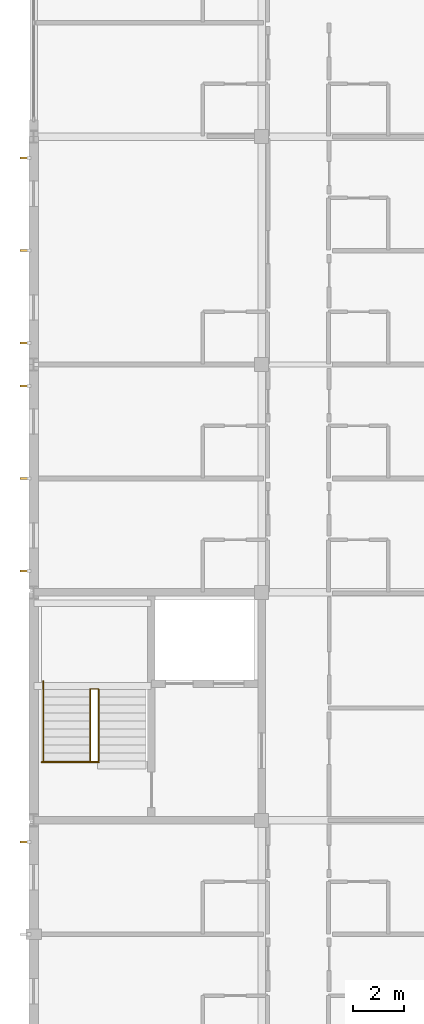
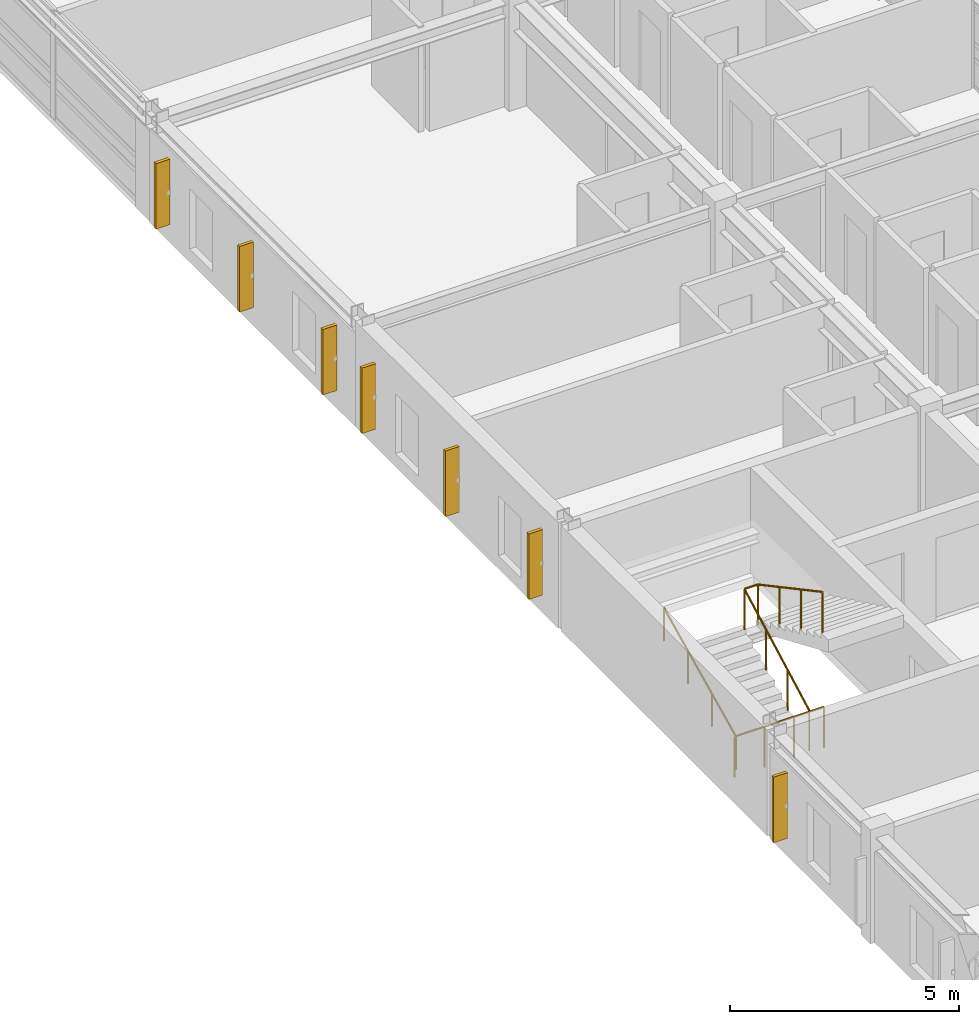
# One storey, part 29 of 30: 7 shading devices, 3 railings.
"""IFC4 building model written with IfcOpenShell, lengths in metres."""

import ifcopenshell
import ifcopenshell.guid

model = None  # the IFC model being written
_history = None  # IfcOwnerHistory: only IFC2X3 demands one
_inside = {}  # id of a spatial element -> (the spatial element, [elements in it])
_under = {}  # id of a project, library or spatial element -> (it, [spatial elements below it])
_declared = {}  # id of a project -> (the project, [libraries it declares])
_typed = {}  # id of a type object -> (the type object, [elements of that type])
_made_of = {}  # id of a material, layer set ... -> (it, [elements and type objects made of it])


def new_model(schema):
    """Start an empty IFC model of exactly this schema.

    Asked for "IFC4X3", IfcOpenShell would pick the latest addendum, in which some entities
    have other attributes; the version numbers below select the first issue.
    IFC2X3 requires an IfcOwnerHistory on every rooted entity: one is made here for all.
    """
    global model, _history
    if schema == "IFC4X3":
        model = ifcopenshell.file(schema_version=(4, 3, 0, 0))
    else:
        model = ifcopenshell.file(schema=schema)
    _inside.clear()
    _under.clear()
    _declared.clear()
    _typed.clear()
    _made_of.clear()
    _history = None
    if model.schema == "IFC2X3":
        org = make("IfcOrganization", Name="unknown")
        user = make(
            "IfcPersonAndOrganization",
            ThePerson=make("IfcPerson", FamilyName="unknown"),
            TheOrganization=org,
        )
        app = make(
            "IfcApplication",
            ApplicationDeveloper=org,
            Version="unknown",
            ApplicationFullName="unknown",
            ApplicationIdentifier="unknown",
        )
        _history = make(
            "IfcOwnerHistory",
            OwningUser=user,
            OwningApplication=app,
            ChangeAction="ADDED",
            CreationDate=0,
        )
    return model


def make(cls, **values):
    """One entity of the class cls with the attributes given. An attribute that is None is left unset."""
    return model.create_entity(
        cls, **{name: value for name, value in values.items() if value is not None}
    )


def rooted(cls, **values):
    """An entity with a GlobalId (a new one), such as an element, a storey or a relation."""
    return make(cls, GlobalId=ifcopenshell.guid.new(), OwnerHistory=_history, **values)


def si_unit(unit_type, name, prefix=None):
    """IfcSIUnit, for example si_unit("LENGTHUNIT", "METRE", prefix="MILLI")."""
    return make("IfcSIUnit", UnitType=unit_type, Prefix=prefix, Name=name)


def assignment(units):
    """IfcUnitAssignment: the units of a project."""
    return None if units is None else make("IfcUnitAssignment", Units=units)


def point(xyz):
    """IfcCartesianPoint."""
    return None if xyz is None else make("IfcCartesianPoint", Coordinates=xyz)


def direction(xyz):
    """IfcDirection."""
    return None if xyz is None else make("IfcDirection", DirectionRatios=xyz)


def frame(location, z_axis=None, x_axis=None):
    """IfcAxis2Placement3D, a coordinate frame: its origin and axes. An axis left out is left unset."""
    return make(
        "IfcAxis2Placement3D",
        Location=point(location),
        Axis=direction(z_axis),
        RefDirection=direction(x_axis),
    )


def frame_2d(location, x_axis=None):
    """IfcAxis2Placement2D, a coordinate frame in the plane: its origin and x axis."""
    return make(
        "IfcAxis2Placement2D", Location=point(location), RefDirection=direction(x_axis)
    )


def origin():
    """The frame at (0, 0, 0) with its axes left unset."""
    return frame((0.0, 0.0, 0.0))


def origin_2d():
    """The frame at (0, 0) in the plane with its x axis left unset."""
    return frame_2d((0.0, 0.0))


def place(relative_to, where):
    """IfcLocalPlacement: puts the frame where relative to a parent placement (None: the world)."""
    return make(
        "IfcLocalPlacement", PlacementRelTo=relative_to, RelativePlacement=where
    )


def context(
    kind, dimensions, precision=None, world=None, true_north=None, identifier=None
):
    """IfcGeometricRepresentationContext, for example the 3D "Model" context."""
    return make(
        "IfcGeometricRepresentationContext",
        ContextIdentifier=identifier,
        ContextType=kind,
        CoordinateSpaceDimension=dimensions,
        Precision=precision,
        WorldCoordinateSystem=world,
        TrueNorth=true_north,
    )


def subcontext(parent, identifier, kind, view, scale=None):
    """IfcGeometricRepresentationSubContext, for example "Body" below "Model"."""
    return make(
        "IfcGeometricRepresentationSubContext",
        ContextIdentifier=identifier,
        ContextType=kind,
        ParentContext=parent,
        TargetScale=scale,
        TargetView=view,
    )


def project(units=None, contexts=None):
    """IfcProject with its units and contexts."""
    return rooted(
        "IfcProject",
        Name="project",
        RepresentationContexts=contexts,
        UnitsInContext=assignment(units),
    )


def spatial(cls, under=None, at=None, **own):
    """A site, building, storey or space (cls), placed at a placement, below another one or the project."""
    s = rooted(cls, ObjectPlacement=at, **own)
    if under is not None:
        _under.setdefault(under.id(), (under, []))[1].append(s)
    return s


def profile(cls, at=None, kind="AREA", **sizes):
    """A parametric profile (cls). Its sizes go by their IFC names, for example OverallWidth=200.0."""
    return make(cls, ProfileType=kind, Position=at, **sizes)


def rectangle(**sizes):
    """IfcRectangleProfileDef."""
    return profile("IfcRectangleProfileDef", **sizes)


def circle(**sizes):
    """IfcCircleProfileDef."""
    return profile("IfcCircleProfileDef", **sizes)


def extrude(swept, where, along, depth):
    """IfcExtrudedAreaSolid: the profile swept, set in the frame where, extruded along a direction by depth."""
    return make(
        "IfcExtrudedAreaSolid",
        SweptArea=swept,
        Position=where,
        ExtrudedDirection=direction(along),
        Depth=depth,
    )


def shape(context_of_items, identifier, shape_type, items):
    """IfcShapeRepresentation: the items that make up one representation, for example the "Body"."""
    return make(
        "IfcShapeRepresentation",
        ContextOfItems=context_of_items,
        RepresentationIdentifier=identifier,
        RepresentationType=shape_type,
        Items=items,
    )


def material(Name=None, Category=None):
    """IfcMaterial."""
    return make("IfcMaterial", Name=Name, Category=Category)


def made_of(thing, what):
    """Note that an element or type object is made of a material, layer set ...; save() writes the relation."""
    if what is not None:
        _made_of.setdefault(what.id(), (what, []))[1].append(thing)
    return thing


def type_object(cls, material=None, **own):
    """A type object (cls), such as IfcWallType, which elements share."""
    return made_of(rooted(cls, **own), material)


def element(
    cls,
    number,
    at=None,
    inside=None,
    cuts=None,
    type_object=None,
    material=None,
    context=None,
    identifier="Body",
    shape_type=None,
    held_by="IfcProductDefinitionShape",
    body=None,
    shapes=None,
    **own,
):
    """One element of the class cls, such as IfcWall. Its Tag is "e" and its number.

    at: its placement. inside: the storey or other place that contains it. cuts: it is an
    opening in that element (IfcRelVoidsElement). A single representation is given by context,
    identifier, shape_type and body (its items); several are given by shapes. held_by: the class
    of the entity that holds the representations. save() writes the other relations.
    """
    e = rooted(cls, Tag="e%d" % number, ObjectPlacement=at, **own)
    if body is not None:
        shapes = [shape(context, identifier, shape_type, body)]
    if shapes is not None:
        e.Representation = make(held_by, Representations=shapes)
    if inside is not None:
        _inside.setdefault(inside.id(), (inside, []))[1].append(e)
    if cuts is not None:
        rooted(
            "IfcRelVoidsElement", RelatingBuildingElement=cuts, RelatedOpeningElement=e
        )
    if type_object is not None:
        _typed.setdefault(type_object.id(), (type_object, []))[1].append(e)
    return made_of(e, material)


def aggregate(whole, parts):
    """IfcRelAggregates: a whole, such as a stair, and the parts it consists of."""
    return rooted("IfcRelAggregates", RelatingObject=whole, RelatedObjects=parts)


def save(model, path):
    """Write the relations noted so far, then the file.

    IfcRelAggregates (storeys below a building ...), IfcRelContainedInSpatialStructure (elements
    in a storey), IfcRelDefinesByType, IfcRelAssociatesMaterial and IfcRelDeclares: one each for
    every whole, place, type object, material and project.
    """
    for whole, parts in _under.values():
        aggregate(whole, parts)
    for where, things in _inside.values():
        rooted(
            "IfcRelContainedInSpatialStructure",
            RelatedElements=things,
            RelatingStructure=where,
        )
    for kind, things in _typed.values():
        rooted("IfcRelDefinesByType", RelatedObjects=things, RelatingType=kind)
    for what, things in _made_of.values():
        rooted("IfcRelAssociatesMaterial", RelatedObjects=things, RelatingMaterial=what)
    for by, libraries in _declared.values():
        rooted("IfcRelDeclares", RelatingContext=by, RelatedDefinitions=libraries)
    model.write(path)


model = new_model("IFC4")

# Units and contexts
model_context = context("Model", 3, precision=1e-05, world=origin(), true_north=direction((0.0, 1.0)))
body_context = subcontext(model_context, "Body", "Model", "MODEL_VIEW")
ifc_project = project(units=[si_unit("LENGTHUNIT", "METRE"), si_unit("AREAUNIT", "SQUARE_METRE"), si_unit("VOLUMEUNIT", "CUBIC_METRE"), si_unit("PLANEANGLEUNIT", "RADIAN"), si_unit("MASSUNIT", "GRAM", prefix="KILO")], contexts=[model_context])

# Site, building, storey
site_placement = place(None, origin())
site = spatial("IfcSite", under=ifc_project, at=site_placement, CompositionType="ELEMENT")
building_placement = place(site_placement, origin())
building = spatial("IfcBuilding", under=site, at=building_placement, Name="Palais des Congres Ocreval", CompositionType="ELEMENT")
storey_placement = place(building_placement, frame((0.0, 0.0, 14.56005859375)))
storey = spatial("IfcBuildingStorey", under=building, at=storey_placement, Name="L04", CompositionType="ELEMENT", Elevation=14.56005859375)

# Railings
ifc_material_1 = material(Name="Anodized bronze aluminium", Category="aluminium")
railing_type_1 = type_object("IfcRailingType", Name="Bronze Stair and Ramp Handrail 900", PredefinedType="HANDRAIL", material=ifc_material_1)
railing_1_placement = place(storey_placement, frame((0.3798828125, 38.35009765625, 0.15185546875)))
element("IfcRailing", 1, at=railing_1_placement, inside=storey, type_object=railing_type_1, Name="Stair Wall Handrail ST03 L04", PredefinedType="HANDRAIL", context=body_context, shape_type="SweptSolid", body=[
    extrude(circle(Radius=0.02392578125, at=origin_2d()), frame((0.0, 0.0, 0.8759765625), z_axis=(0.0, 0.900621362251, 0.434604604044), x_axis=(-1.0, 0.0, 0.0)), (0.0, 0.0, 1.0), 3.49755859375),
    extrude(circle(Radius=0.02099609375, at=origin_2d()), origin(), (0.0, 0.0, 1.0), 0.851806640625),
    extrude(circle(Radius=0.02099609375, at=origin_2d()), frame((0.0, 1.050048828125, 0.506591796875)), (0.0, 0.0, 1.0), 0.851806640625),
    extrude(circle(Radius=0.02099609375, at=origin_2d()), frame((0.0, 2.099853515625, 1.013427734375)), (0.0, 0.0, 1.0), 0.851806640625),
    extrude(circle(Radius=0.02099609375, at=origin_2d()), frame((0.0, 3.14990234375, 1.52001953125)), (0.0, 0.0, 1.0), 0.851806640625),
])
ifc_material_2 = material(Name="Steel S355", Category="steel")
railing_type_2 = type_object("IfcRailingType", Name="Stairwell Steel Guardrail 1100", PredefinedType="GUARDRAIL", material=ifc_material_2)
railing_2_placement = place(storey_placement, frame((0.320068359375, 38.300048828125, 0.0)))
element("IfcRailing", 2, at=railing_2_placement, inside=storey, type_object=railing_type_2, Name="Stairwell Landing Edge Guard ST03 L04", PredefinedType="GUARDRAIL", context=body_context, shape_type="SweptSolid", body=[
    extrude(circle(Radius=0.02392578125, at=origin_2d()), frame((0.0, 0.0, 1.076171875), z_axis=(1.0, 0.0, 0.0), x_axis=(0.0, 1.0, 0.0)), (0.0, 0.0, 1.0), 2.25),
    extrude(circle(Radius=0.02099609375, at=origin_2d()), origin(), (0.0, 0.0, 1.0), 1.052001953125),
    extrude(circle(Radius=0.02099609375, at=origin_2d()), frame((0.75, 0.0, 0.0)), (0.0, 0.0, 1.0), 1.052001953125),
    extrude(circle(Radius=0.02099609375, at=origin_2d()), frame((1.5, 0.0, 0.0)), (0.0, 0.0, 1.0), 1.052001953125),
    extrude(circle(Radius=0.02099609375, at=origin_2d()), frame((2.25, 0.0, 0.0)), (0.0, 0.0, 1.0), 1.052001953125),
])
railing_3_placement = place(storey_placement, frame((2.22998046875, 38.35009765625, 0.0)))
element("IfcRailing", 3, at=railing_3_placement, inside=storey, type_object=railing_type_2, Name="Stair Inner Guardrail ST03 L04", PredefinedType="GUARDRAIL", context=body_context, shape_type="SweptSolid", body=[
    extrude(circle(Radius=0.02392578125, at=origin_2d()), frame((0.0, 0.0, 1.076171875), z_axis=(0.0, 0.881312927046, 0.472533093678), x_axis=(-1.0, 0.0, 0.0)), (0.0, 0.0, 1.0), 3.216796875),
    extrude(circle(Radius=0.02392578125, at=origin_2d()), frame((0.0, 2.8349609375, 2.59619140625), z_axis=(1.0, 0.0, 0.0), x_axis=(0.0, 1.0, 0.0)), (0.0, 0.0, 1.0), 0.340087890625),
    extrude(circle(Radius=0.02392578125, at=origin_2d()), frame((0.340087890625, 2.8349609375, 2.59619140625), z_axis=(0.0, -0.881312927046, 0.472533093678), x_axis=(1.0, 0.0, 0.0)), (0.0, 0.0, 1.0), 3.216796875),
    extrude(circle(Radius=0.02099609375, at=origin_2d()), origin(), (0.0, 0.0, 1.0), 1.052001953125),
    extrude(circle(Radius=0.02099609375, at=origin_2d()), frame((0.0, 0.945068359375, 0.506591796875)), (0.0, 0.0, 1.0), 1.052001953125),
    extrude(circle(Radius=0.02099609375, at=origin_2d()), frame((0.0, 1.889892578125, 1.013427734375)), (0.0, 0.0, 1.0), 1.052001953125),
    extrude(circle(Radius=0.02099609375, at=origin_2d()), frame((0.0, 2.8349609375, 1.52001953125)), (0.0, 0.0, 1.0), 1.052001953125),
    extrude(circle(Radius=0.02099609375, at=origin_2d()), frame((0.340087890625, 2.8349609375, 1.52001953125)), (0.0, 0.0, 1.0), 1.052001953125),
    extrude(circle(Radius=0.02099609375, at=origin_2d()), frame((0.340087890625, 1.889892578125, 2.026611328125)), (0.0, 0.0, 1.0), 1.052001953125),
    extrude(circle(Radius=0.02099609375, at=origin_2d()), frame((0.340087890625, 0.945068359375, 2.533447265625)), (0.0, 0.0, 1.0), 1.052001953125),
    extrude(circle(Radius=0.02099609375, at=origin_2d()), frame((0.340087890625, 0.0, 3.0400390625)), (0.0, 0.0, 1.0), 1.052001953125),
])

# Shading devices
ifc_material_3 = material(Name="Terracotta ceramic", Category="masonry")
shading_device_type = type_object("IfcShadingDeviceType", Name="Terracotta Ceramic Brise-Soleil Fin 360", PredefinedType="JALOUSIE", material=ifc_material_3)
for number, where, z_axis, x_axis, name in (
    (4, (-0.360107421875, 35.14990234375, 0.474853515625), (0.0, 0.0, 1.0), (-1.0, 0.0, 0.0), "Ceramic Celosia Sun-Fin SD01"),
    (5, (-0.360107421875, 45.85009765625, 0.474853515625), (0.0, 0.0, 1.0), (-1.0, 0.0, 0.0), "Ceramic Celosia Sun-Fin SD01"),
    (6, (-0.360107421875, 49.5, 0.474853515625), (0.0, 0.0, 1.0), (-1.0, 0.0, 0.0), "Ceramic Celosia Sun-Fin SD01"),
    (7, (-0.360107421875, 53.14990234375, 0.474853515625), (0.0, 0.0, 1.0), (-1.0, 0.0, 0.0), "Ceramic Celosia Sun-Fin SD01"),
    (8, (-0.360107421875, 54.85009765625, 0.474853515625), (0.0, 0.0, 1.0), (-1.0, 0.0, 0.0), "Ceramic Celosia Sun-Fin SD01"),
    (9, (-0.360107421875, 58.5, 0.474853515625), (0.0, 0.0, 1.0), (-1.0, 0.0, 0.0), "Ceramic Celosia Sun-Fin SD01"),
    (10, (-0.360107421875, 62.14990234375, 0.474853515625), (0.0, 0.0, 1.0), (-1.0, 0.0, 0.0), "Ceramic Celosia Sun-Fin SD01"),
):
    element("IfcShadingDevice", number, at=place(storey_placement, frame(where, z_axis=z_axis, x_axis=x_axis)), inside=storey, type_object=shading_device_type, Name=name, PredefinedType="JALOUSIE", context=body_context, shape_type="SweptSolid", body=[
        extrude(rectangle(XDim=0.360107421875, YDim=0.080078125, at=origin_2d()), origin(), (0.0, 0.0, 1.0), 1.75),
    ])

save(model, "model.ifc")
